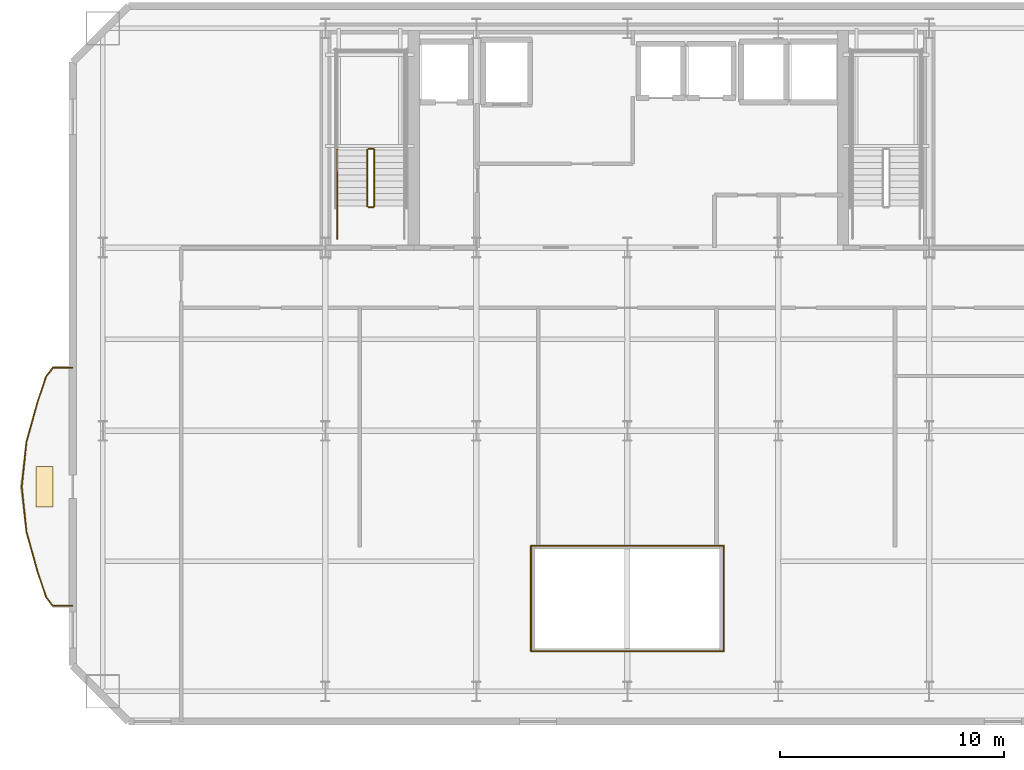
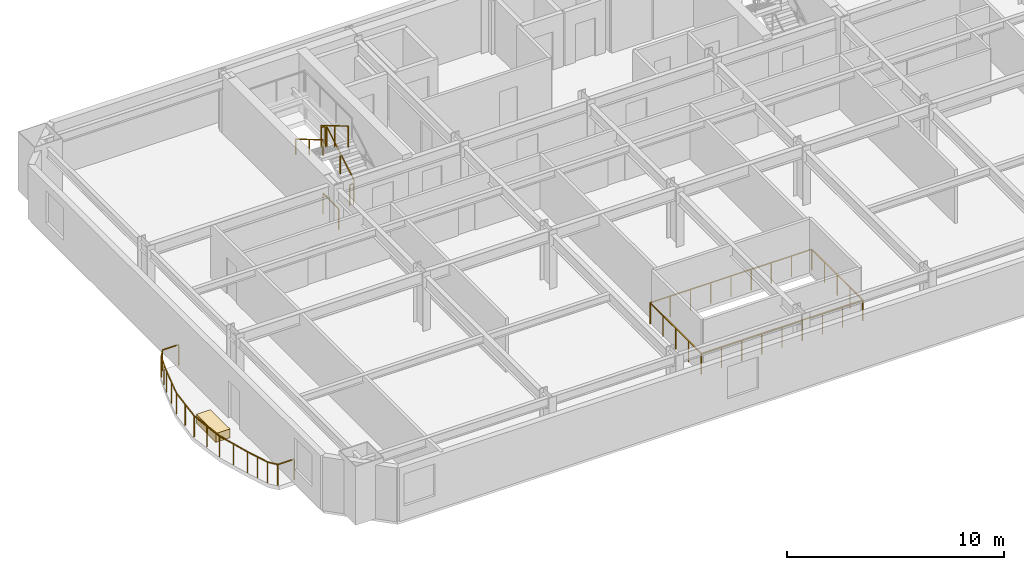
# One storey, part 10 of 14: 20 railings, 1 covering.
"""IFC4 building model written with IfcOpenShell, lengths in metres."""

import ifcopenshell
import ifcopenshell.guid

model = None  # the IFC model being written
_history = None  # IfcOwnerHistory: only IFC2X3 demands one
_inside = {}  # id of a spatial element -> (the spatial element, [elements in it])
_under = {}  # id of a project, library or spatial element -> (it, [spatial elements below it])
_declared = {}  # id of a project -> (the project, [libraries it declares])
_typed = {}  # id of a type object -> (the type object, [elements of that type])
_made_of = {}  # id of a material, layer set ... -> (it, [elements and type objects made of it])


def new_model(schema):
    """Start an empty IFC model of exactly this schema.

    Asked for "IFC4X3", IfcOpenShell would pick the latest addendum, in which some entities
    have other attributes; the version numbers below select the first issue.
    IFC2X3 requires an IfcOwnerHistory on every rooted entity: one is made here for all.
    """
    global model, _history
    if schema == "IFC4X3":
        model = ifcopenshell.file(schema_version=(4, 3, 0, 0))
    else:
        model = ifcopenshell.file(schema=schema)
    _inside.clear()
    _under.clear()
    _declared.clear()
    _typed.clear()
    _made_of.clear()
    _history = None
    if model.schema == "IFC2X3":
        org = make("IfcOrganization", Name="unknown")
        user = make(
            "IfcPersonAndOrganization",
            ThePerson=make("IfcPerson", FamilyName="unknown"),
            TheOrganization=org,
        )
        app = make(
            "IfcApplication",
            ApplicationDeveloper=org,
            Version="unknown",
            ApplicationFullName="unknown",
            ApplicationIdentifier="unknown",
        )
        _history = make(
            "IfcOwnerHistory",
            OwningUser=user,
            OwningApplication=app,
            ChangeAction="ADDED",
            CreationDate=0,
        )
    return model


def make(cls, **values):
    """One entity of the class cls with the attributes given. An attribute that is None is left unset."""
    return model.create_entity(
        cls, **{name: value for name, value in values.items() if value is not None}
    )


def rooted(cls, **values):
    """An entity with a GlobalId (a new one), such as an element, a storey or a relation."""
    return make(cls, GlobalId=ifcopenshell.guid.new(), OwnerHistory=_history, **values)


def si_unit(unit_type, name, prefix=None):
    """IfcSIUnit, for example si_unit("LENGTHUNIT", "METRE", prefix="MILLI")."""
    return make("IfcSIUnit", UnitType=unit_type, Prefix=prefix, Name=name)


def assignment(units):
    """IfcUnitAssignment: the units of a project."""
    return None if units is None else make("IfcUnitAssignment", Units=units)


def point(xyz):
    """IfcCartesianPoint."""
    return None if xyz is None else make("IfcCartesianPoint", Coordinates=xyz)


def direction(xyz):
    """IfcDirection."""
    return None if xyz is None else make("IfcDirection", DirectionRatios=xyz)


def frame(location, z_axis=None, x_axis=None):
    """IfcAxis2Placement3D, a coordinate frame: its origin and axes. An axis left out is left unset."""
    return make(
        "IfcAxis2Placement3D",
        Location=point(location),
        Axis=direction(z_axis),
        RefDirection=direction(x_axis),
    )


def frame_2d(location, x_axis=None):
    """IfcAxis2Placement2D, a coordinate frame in the plane: its origin and x axis."""
    return make(
        "IfcAxis2Placement2D", Location=point(location), RefDirection=direction(x_axis)
    )


def origin():
    """The frame at (0, 0, 0) with its axes left unset."""
    return frame((0.0, 0.0, 0.0))


def origin_2d():
    """The frame at (0, 0) in the plane with its x axis left unset."""
    return frame_2d((0.0, 0.0))


def place(relative_to, where):
    """IfcLocalPlacement: puts the frame where relative to a parent placement (None: the world)."""
    return make(
        "IfcLocalPlacement", PlacementRelTo=relative_to, RelativePlacement=where
    )


def context(
    kind, dimensions, precision=None, world=None, true_north=None, identifier=None
):
    """IfcGeometricRepresentationContext, for example the 3D "Model" context."""
    return make(
        "IfcGeometricRepresentationContext",
        ContextIdentifier=identifier,
        ContextType=kind,
        CoordinateSpaceDimension=dimensions,
        Precision=precision,
        WorldCoordinateSystem=world,
        TrueNorth=true_north,
    )


def subcontext(parent, identifier, kind, view, scale=None):
    """IfcGeometricRepresentationSubContext, for example "Body" below "Model"."""
    return make(
        "IfcGeometricRepresentationSubContext",
        ContextIdentifier=identifier,
        ContextType=kind,
        ParentContext=parent,
        TargetScale=scale,
        TargetView=view,
    )


def project(units=None, contexts=None):
    """IfcProject with its units and contexts."""
    return rooted(
        "IfcProject",
        Name="project",
        RepresentationContexts=contexts,
        UnitsInContext=assignment(units),
    )


def spatial(cls, under=None, at=None, **own):
    """A site, building, storey or space (cls), placed at a placement, below another one or the project."""
    s = rooted(cls, ObjectPlacement=at, **own)
    if under is not None:
        _under.setdefault(under.id(), (under, []))[1].append(s)
    return s


def profile(cls, at=None, kind="AREA", **sizes):
    """A parametric profile (cls). Its sizes go by their IFC names, for example OverallWidth=200.0."""
    return make(cls, ProfileType=kind, Position=at, **sizes)


def rectangle(**sizes):
    """IfcRectangleProfileDef."""
    return profile("IfcRectangleProfileDef", **sizes)


def extrude(swept, where, along, depth):
    """IfcExtrudedAreaSolid: the profile swept, set in the frame where, extruded along a direction by depth."""
    return make(
        "IfcExtrudedAreaSolid",
        SweptArea=swept,
        Position=where,
        ExtrudedDirection=direction(along),
        Depth=depth,
    )


def shape(context_of_items, identifier, shape_type, items):
    """IfcShapeRepresentation: the items that make up one representation, for example the "Body"."""
    return make(
        "IfcShapeRepresentation",
        ContextOfItems=context_of_items,
        RepresentationIdentifier=identifier,
        RepresentationType=shape_type,
        Items=items,
    )


def material(Name=None, Category=None):
    """IfcMaterial."""
    return make("IfcMaterial", Name=Name, Category=Category)


def layer(
    of_material, thickness, ventilated=None, Name=None, Category=None, Priority=None
):
    """IfcMaterialLayer: one layer of a wall or slab, of a material (None: an air gap)."""
    return make(
        "IfcMaterialLayer",
        Material=of_material,
        LayerThickness=thickness,
        IsVentilated=ventilated,
        Name=Name,
        Category=Category,
        Priority=Priority,
    )


def layer_set(layers, Name=None):
    """IfcMaterialLayerSet."""
    return make("IfcMaterialLayerSet", MaterialLayers=layers, LayerSetName=Name)


def made_of(thing, what):
    """Note that an element or type object is made of a material, layer set ...; save() writes the relation."""
    if what is not None:
        _made_of.setdefault(what.id(), (what, []))[1].append(thing)
    return thing


def type_object(cls, material=None, **own):
    """A type object (cls), such as IfcWallType, which elements share."""
    return made_of(rooted(cls, **own), material)


def element(
    cls,
    number,
    at=None,
    inside=None,
    cuts=None,
    type_object=None,
    material=None,
    context=None,
    identifier="Body",
    shape_type=None,
    held_by="IfcProductDefinitionShape",
    body=None,
    shapes=None,
    **own,
):
    """One element of the class cls, such as IfcWall. Its Tag is "e" and its number.

    at: its placement. inside: the storey or other place that contains it. cuts: it is an
    opening in that element (IfcRelVoidsElement). A single representation is given by context,
    identifier, shape_type and body (its items); several are given by shapes. held_by: the class
    of the entity that holds the representations. save() writes the other relations.
    """
    e = rooted(cls, Tag="e%d" % number, ObjectPlacement=at, **own)
    if body is not None:
        shapes = [shape(context, identifier, shape_type, body)]
    if shapes is not None:
        e.Representation = make(held_by, Representations=shapes)
    if inside is not None:
        _inside.setdefault(inside.id(), (inside, []))[1].append(e)
    if cuts is not None:
        rooted(
            "IfcRelVoidsElement", RelatingBuildingElement=cuts, RelatedOpeningElement=e
        )
    if type_object is not None:
        _typed.setdefault(type_object.id(), (type_object, []))[1].append(e)
    return made_of(e, material)


def aggregate(whole, parts):
    """IfcRelAggregates: a whole, such as a stair, and the parts it consists of."""
    return rooted("IfcRelAggregates", RelatingObject=whole, RelatedObjects=parts)


def save(model, path):
    """Write the relations noted so far, then the file.

    IfcRelAggregates (storeys below a building ...), IfcRelContainedInSpatialStructure (elements
    in a storey), IfcRelDefinesByType, IfcRelAssociatesMaterial and IfcRelDeclares: one each for
    every whole, place, type object, material and project.
    """
    for whole, parts in _under.values():
        aggregate(whole, parts)
    for where, things in _inside.values():
        rooted(
            "IfcRelContainedInSpatialStructure",
            RelatedElements=things,
            RelatingStructure=where,
        )
    for kind, things in _typed.values():
        rooted("IfcRelDefinesByType", RelatedObjects=things, RelatingType=kind)
    for what, things in _made_of.values():
        rooted("IfcRelAssociatesMaterial", RelatedObjects=things, RelatingMaterial=what)
    for by, libraries in _declared.values():
        rooted("IfcRelDeclares", RelatingContext=by, RelatedDefinitions=libraries)
    model.write(path)


model = new_model("IFC4")

# Units and contexts
model_context = context("Model", 3, precision=1e-05, world=origin(), true_north=direction((0.0, 1.0)))
body_context = subcontext(model_context, "Body", "Model", "MODEL_VIEW")
ifc_project = project(units=[si_unit("LENGTHUNIT", "METRE"), si_unit("AREAUNIT", "SQUARE_METRE"), si_unit("VOLUMEUNIT", "CUBIC_METRE"), si_unit("PLANEANGLEUNIT", "RADIAN"), si_unit("MASSUNIT", "GRAM", prefix="KILO")], contexts=[model_context])

# Site, building, storey
site_placement = place(None, origin())
site = spatial("IfcSite", under=ifc_project, at=site_placement, CompositionType="ELEMENT")
building_placement = place(site_placement, origin())
building = spatial("IfcBuilding", under=site, at=building_placement, Name="Haevon Station Towers", CompositionType="ELEMENT")
storey_placement = place(building_placement, frame((0.0, 0.0, 86.699951171875)))
storey = spatial("IfcBuildingStorey", under=building, at=storey_placement, Name="L22", CompositionType="ELEMENT", Elevation=86.699951171875)

# Railings
ifc_material_1 = material(Name="Steel S355", Category="steel")
railing_type_1 = type_object("IfcRailingType", Name="BAL-ATR1200", PredefinedType="BALUSTRADE", material=ifc_material_1)
railing_1_placement = place(storey_placement, frame((33.19482421875, 20.142333984375, 0.0)))
element("IfcRailing", 1, at=railing_1_placement, inside=storey, type_object=railing_type_1, Name="L22 Atrium Void Balustrade 1", PredefinedType="BALUSTRADE", context=body_context, shape_type="SweptSolid", body=[
    extrude(rectangle(XDim=0.048095703125, YDim=0.048095703125, at=origin_2d()), frame((0.0, 0.0, 1.17578125), z_axis=(1.0, 0.0, 0.0), x_axis=(0.0, 1.0, 0.0)), (0.0, 0.0, 1.0), 8.6103515625),
    extrude(rectangle(XDim=0.0419921875, YDim=0.0419921875, at=origin_2d()), origin(), (0.0, 0.0, 1.0), 1.15185546875),
    extrude(rectangle(XDim=0.0419921875, YDim=0.0419921875, at=origin_2d()), frame((1.076171875, 0.0, 0.0)), (0.0, 0.0, 1.0), 1.15185546875),
    extrude(rectangle(XDim=0.0419921875, YDim=0.0419921875, at=origin_2d()), frame((2.152587890625, 0.0, 0.0)), (0.0, 0.0, 1.0), 1.15185546875),
    extrude(rectangle(XDim=0.0419921875, YDim=0.0419921875, at=origin_2d()), frame((3.22900390625, 0.0, 0.0)), (0.0, 0.0, 1.0), 1.15185546875),
    extrude(rectangle(XDim=0.0419921875, YDim=0.0419921875, at=origin_2d()), frame((4.30517578125, 0.0, 0.0)), (0.0, 0.0, 1.0), 1.15185546875),
    extrude(rectangle(XDim=0.0419921875, YDim=0.0419921875, at=origin_2d()), frame((5.38134765625, 0.0, 0.0)), (0.0, 0.0, 1.0), 1.15185546875),
    extrude(rectangle(XDim=0.0419921875, YDim=0.0419921875, at=origin_2d()), frame((6.457763671875, 0.0, 0.0)), (0.0, 0.0, 1.0), 1.15185546875),
    extrude(rectangle(XDim=0.0419921875, YDim=0.0419921875, at=origin_2d()), frame((7.5341796875, 0.0, 0.0)), (0.0, 0.0, 1.0), 1.15185546875),
    extrude(rectangle(XDim=0.0419921875, YDim=0.0419921875, at=origin_2d()), frame((8.6103515625, 0.0, 0.0)), (0.0, 0.0, 1.0), 1.15185546875),
])
railing_2_placement = place(storey_placement, frame((41.80517578125, 20.142333984375, 0.0)))
element("IfcRailing", 2, at=railing_2_placement, inside=storey, type_object=railing_type_1, Name="L22 Atrium Void Balustrade 2", PredefinedType="BALUSTRADE", context=body_context, shape_type="SweptSolid", body=[
    extrude(rectangle(XDim=0.048095703125, YDim=0.048095703125, at=origin_2d()), frame((0.0, 0.0, 1.17578125), z_axis=(0.0, 1.0, 0.0), x_axis=(-1.0, 0.0, 0.0)), (0.0, 0.0, 1.0), 4.71533203125),
    extrude(rectangle(XDim=0.0419921875, YDim=0.0419921875, at=origin_2d()), origin(), (0.0, 0.0, 1.0), 1.15185546875),
    extrude(rectangle(XDim=0.0419921875, YDim=0.0419921875, at=origin_2d()), frame((0.0, 1.1787109375, 0.0)), (0.0, 0.0, 1.0), 1.15185546875),
    extrude(rectangle(XDim=0.0419921875, YDim=0.0419921875, at=origin_2d()), frame((0.0, 2.357666015625, 0.0)), (0.0, 0.0, 1.0), 1.15185546875),
    extrude(rectangle(XDim=0.0419921875, YDim=0.0419921875, at=origin_2d()), frame((0.0, 3.53662109375, 0.0)), (0.0, 0.0, 1.0), 1.15185546875),
    extrude(rectangle(XDim=0.0419921875, YDim=0.0419921875, at=origin_2d()), frame((0.0, 4.71533203125, 0.0)), (0.0, 0.0, 1.0), 1.15185546875),
])
railing_3_placement = place(storey_placement, frame((41.80517578125, 24.857666015625, 0.0)))
element("IfcRailing", 3, at=railing_3_placement, inside=storey, type_object=railing_type_1, Name="L22 Atrium Void Balustrade 3", PredefinedType="BALUSTRADE", context=body_context, shape_type="SweptSolid", body=[
    extrude(rectangle(XDim=0.048095703125, YDim=0.048095703125, at=origin_2d()), frame((0.0, 0.0, 1.17578125), z_axis=(-1.0, 0.0, 0.0), x_axis=(0.0, -1.0, 0.0)), (0.0, 0.0, 1.0), 8.6103515625),
    extrude(rectangle(XDim=0.0419921875, YDim=0.0419921875, at=origin_2d()), origin(), (0.0, 0.0, 1.0), 1.15185546875),
    extrude(rectangle(XDim=0.0419921875, YDim=0.0419921875, at=origin_2d()), frame((-1.076171875, 0.0, 0.0)), (0.0, 0.0, 1.0), 1.15185546875),
    extrude(rectangle(XDim=0.0419921875, YDim=0.0419921875, at=origin_2d()), frame((-2.152587890625, 0.0, 0.0)), (0.0, 0.0, 1.0), 1.15185546875),
    extrude(rectangle(XDim=0.0419921875, YDim=0.0419921875, at=origin_2d()), frame((-3.22900390625, 0.0, 0.0)), (0.0, 0.0, 1.0), 1.15185546875),
    extrude(rectangle(XDim=0.0419921875, YDim=0.0419921875, at=origin_2d()), frame((-4.30517578125, 0.0, 0.0)), (0.0, 0.0, 1.0), 1.15185546875),
    extrude(rectangle(XDim=0.0419921875, YDim=0.0419921875, at=origin_2d()), frame((-5.38134765625, 0.0, 0.0)), (0.0, 0.0, 1.0), 1.15185546875),
    extrude(rectangle(XDim=0.0419921875, YDim=0.0419921875, at=origin_2d()), frame((-6.457763671875, 0.0, 0.0)), (0.0, 0.0, 1.0), 1.15185546875),
    extrude(rectangle(XDim=0.0419921875, YDim=0.0419921875, at=origin_2d()), frame((-7.5341796875, 0.0, 0.0)), (0.0, 0.0, 1.0), 1.15185546875),
    extrude(rectangle(XDim=0.0419921875, YDim=0.0419921875, at=origin_2d()), frame((-8.6103515625, 0.0, 0.0)), (0.0, 0.0, 1.0), 1.15185546875),
])
railing_4_placement = place(storey_placement, frame((33.19482421875, 24.857666015625, 0.0)))
element("IfcRailing", 4, at=railing_4_placement, inside=storey, type_object=railing_type_1, Name="L22 Atrium Void Balustrade 4", PredefinedType="BALUSTRADE", context=body_context, shape_type="SweptSolid", body=[
    extrude(rectangle(XDim=0.048095703125, YDim=0.048095703125, at=origin_2d()), frame((0.0, 0.0, 1.17578125), z_axis=(0.0, -1.0, 0.0), x_axis=(1.0, 0.0, 0.0)), (0.0, 0.0, 1.0), 4.71533203125),
    extrude(rectangle(XDim=0.0419921875, YDim=0.0419921875, at=origin_2d()), origin(), (0.0, 0.0, 1.0), 1.15185546875),
    extrude(rectangle(XDim=0.0419921875, YDim=0.0419921875, at=origin_2d()), frame((0.0, -1.1787109375, 0.0)), (0.0, 0.0, 1.0), 1.15185546875),
    extrude(rectangle(XDim=0.0419921875, YDim=0.0419921875, at=origin_2d()), frame((0.0, -2.357666015625, 0.0)), (0.0, 0.0, 1.0), 1.15185546875),
    extrude(rectangle(XDim=0.0419921875, YDim=0.0419921875, at=origin_2d()), frame((0.0, -3.53662109375, 0.0)), (0.0, 0.0, 1.0), 1.15185546875),
    extrude(rectangle(XDim=0.0419921875, YDim=0.0419921875, at=origin_2d()), frame((0.0, -4.71533203125, 0.0)), (0.0, 0.0, 1.0), 1.15185546875),
])
railing_type_2 = type_object("IfcRailingType", Name="GRD-EXT1200", PredefinedType="GUARDRAIL", material=ifc_material_1)
railing_5_placement = place(storey_placement, frame((12.6767578125, 32.822021484375, 0.0)))
element("IfcRailing", 5, at=railing_5_placement, inside=storey, type_object=railing_type_2, Name="L22 Perimeter Guardrail 1", PredefinedType="GUARDRAIL", context=body_context, shape_type="SweptSolid", body=[
    extrude(rectangle(XDim=0.048095703125, YDim=0.048095703125, at=origin_2d()), frame((0.0, 0.0, 1.17578125), z_axis=(-0.999998067939, -0.001965736163, 0.0), x_axis=(0.001965736163, -0.999998067939, 0.0)), (0.0, 0.0, 1.0), 0.869384765625),
    extrude(rectangle(XDim=0.0419921875, YDim=0.0419921875, at=origin_2d()), origin(), (0.0, 0.0, 1.0), 1.15185546875),
    extrude(rectangle(XDim=0.0419921875, YDim=0.0419921875, at=origin_2d()), frame((-0.869384765625, -0.001708984375, 0.0)), (0.0, 0.0, 1.0), 1.15185546875),
])
railing_6_placement = place(storey_placement, frame((11.807373046875, 32.8203125, 0.0)))
element("IfcRailing", 6, at=railing_6_placement, inside=storey, type_object=railing_type_2, Name="L22 Perimeter Guardrail 2", PredefinedType="GUARDRAIL", context=body_context, shape_type="SweptSolid", body=[
    extrude(rectangle(XDim=0.048095703125, YDim=0.048095703125, at=origin_2d()), frame((0.0, 0.0, 1.17578125), z_axis=(-0.603100928496, -0.797664885805, 0.0), x_axis=(0.797664885805, -0.603100928496, 0.0)), (0.0, 0.0, 1.0), 0.515625),
    extrude(rectangle(XDim=0.0419921875, YDim=0.0419921875, at=origin_2d()), origin(), (0.0, 0.0, 1.0), 1.15185546875),
    extrude(rectangle(XDim=0.0419921875, YDim=0.0419921875, at=origin_2d()), frame((-0.31103515625, -0.411376953125, 0.0)), (0.0, 0.0, 1.0), 1.15185546875),
])
railing_7_placement = place(storey_placement, frame((11.496337890625, 32.408935546875, 0.0)))
element("IfcRailing", 7, at=railing_7_placement, inside=storey, type_object=railing_type_2, Name="L22 Perimeter Guardrail 3", PredefinedType="GUARDRAIL", context=body_context, shape_type="SweptSolid", body=[
    extrude(rectangle(XDim=0.048095703125, YDim=0.048095703125, at=origin_2d()), frame((0.0, 0.0, 1.17578125), z_axis=(-0.315217781166, -0.949019362519, 0.0), x_axis=(0.949019362519, -0.315217781166, 0.0)), (0.0, 0.0, 1.0), 1.23291015625),
    extrude(rectangle(XDim=0.0419921875, YDim=0.0419921875, at=origin_2d()), origin(), (0.0, 0.0, 1.0), 1.15185546875),
    extrude(rectangle(XDim=0.0419921875, YDim=0.0419921875, at=origin_2d()), frame((-0.1943359375, -0.5849609375, 0.0)), (0.0, 0.0, 1.0), 1.15185546875),
    extrude(rectangle(XDim=0.0419921875, YDim=0.0419921875, at=origin_2d()), frame((-0.388671875, -1.170166015625, 0.0)), (0.0, 0.0, 1.0), 1.15185546875),
])
railing_8_placement = place(storey_placement, frame((11.107666015625, 31.23876953125, 0.0)))
element("IfcRailing", 8, at=railing_8_placement, inside=storey, type_object=railing_type_2, Name="L22 Perimeter Guardrail 4", PredefinedType="GUARDRAIL", context=body_context, shape_type="SweptSolid", body=[
    extrude(rectangle(XDim=0.048095703125, YDim=0.048095703125, at=origin_2d()), frame((0.0, 0.0, 1.17578125), z_axis=(-0.266399621619, -0.963862667397, 0.0), x_axis=(0.963862667397, -0.266399621619, 0.0)), (0.0, 0.0, 1.0), 1.811767578125),
    extrude(rectangle(XDim=0.0419921875, YDim=0.0419921875, at=origin_2d()), origin(), (0.0, 0.0, 1.0), 1.15185546875),
    extrude(rectangle(XDim=0.0419921875, YDim=0.0419921875, at=origin_2d()), frame((-0.2412109375, -0.873046875, 0.0)), (0.0, 0.0, 1.0), 1.15185546875),
    extrude(rectangle(XDim=0.0419921875, YDim=0.0419921875, at=origin_2d()), frame((-0.482666015625, -1.746337890625, 0.0)), (0.0, 0.0, 1.0), 1.15185546875),
])
railing_9_placement = place(storey_placement, frame((10.625, 29.492431640625, 0.0)))
element("IfcRailing", 9, at=railing_9_placement, inside=storey, type_object=railing_type_2, Name="L22 Perimeter Guardrail 5", PredefinedType="GUARDRAIL", context=body_context, shape_type="SweptSolid", body=[
    extrude(rectangle(XDim=0.048095703125, YDim=0.048095703125, at=origin_2d()), frame((0.0, 0.0, 1.17578125), z_axis=(-0.101784512021, -0.99480647018, 0.0), x_axis=(0.99480647018, -0.101784512021, 0.0)), (0.0, 0.0, 1.0), 2.0029296875),
    extrude(rectangle(XDim=0.0419921875, YDim=0.0419921875, at=origin_2d()), origin(), (0.0, 0.0, 1.0), 1.15185546875),
    extrude(rectangle(XDim=0.0419921875, YDim=0.0419921875, at=origin_2d()), frame((-0.10205078125, -0.99609375, 0.0)), (0.0, 0.0, 1.0), 1.15185546875),
    extrude(rectangle(XDim=0.0419921875, YDim=0.0419921875, at=origin_2d()), frame((-0.203857421875, -1.992431640625, 0.0)), (0.0, 0.0, 1.0), 1.15185546875),
])
railing_10_placement = place(storey_placement, frame((10.421142578125, 27.5, 0.0)))
element("IfcRailing", 10, at=railing_10_placement, inside=storey, type_object=railing_type_2, Name="L22 Perimeter Guardrail 6", PredefinedType="GUARDRAIL", context=body_context, shape_type="SweptSolid", body=[
    extrude(rectangle(XDim=0.048095703125, YDim=0.048095703125, at=origin_2d()), frame((0.0, 0.0, 1.17578125), z_axis=(0.101784512021, -0.99480647018, 0.0), x_axis=(0.99480647018, 0.101784512021, 0.0)), (0.0, 0.0, 1.0), 2.0029296875),
    extrude(rectangle(XDim=0.0419921875, YDim=0.0419921875, at=origin_2d()), origin(), (0.0, 0.0, 1.0), 1.15185546875),
    extrude(rectangle(XDim=0.0419921875, YDim=0.0419921875, at=origin_2d()), frame((0.10205078125, -0.99609375, 0.0)), (0.0, 0.0, 1.0), 1.15185546875),
    extrude(rectangle(XDim=0.0419921875, YDim=0.0419921875, at=origin_2d()), frame((0.203857421875, -1.992431640625, 0.0)), (0.0, 0.0, 1.0), 1.15185546875),
])
railing_11_placement = place(storey_placement, frame((10.625, 25.507568359375, 0.0)))
element("IfcRailing", 11, at=railing_11_placement, inside=storey, type_object=railing_type_2, Name="L22 Perimeter Guardrail 7", PredefinedType="GUARDRAIL", context=body_context, shape_type="SweptSolid", body=[
    extrude(rectangle(XDim=0.048095703125, YDim=0.048095703125, at=origin_2d()), frame((0.0, 0.0, 1.17578125), z_axis=(0.266399621619, -0.963862667397, 0.0), x_axis=(0.963862667397, 0.266399621619, 0.0)), (0.0, 0.0, 1.0), 1.811767578125),
    extrude(rectangle(XDim=0.0419921875, YDim=0.0419921875, at=origin_2d()), origin(), (0.0, 0.0, 1.0), 1.15185546875),
    extrude(rectangle(XDim=0.0419921875, YDim=0.0419921875, at=origin_2d()), frame((0.2412109375, -0.873046875, 0.0)), (0.0, 0.0, 1.0), 1.15185546875),
    extrude(rectangle(XDim=0.0419921875, YDim=0.0419921875, at=origin_2d()), frame((0.482666015625, -1.746337890625, 0.0)), (0.0, 0.0, 1.0), 1.15185546875),
])
railing_12_placement = place(storey_placement, frame((11.107666015625, 23.76123046875, 0.0)))
element("IfcRailing", 12, at=railing_12_placement, inside=storey, type_object=railing_type_2, Name="L22 Perimeter Guardrail 8", PredefinedType="GUARDRAIL", context=body_context, shape_type="SweptSolid", body=[
    extrude(rectangle(XDim=0.048095703125, YDim=0.048095703125, at=origin_2d()), frame((0.0, 0.0, 1.17578125), z_axis=(0.315217781166, -0.949019362519, 0.0), x_axis=(0.949019362519, 0.315217781166, 0.0)), (0.0, 0.0, 1.0), 1.23291015625),
    extrude(rectangle(XDim=0.0419921875, YDim=0.0419921875, at=origin_2d()), origin(), (0.0, 0.0, 1.0), 1.15185546875),
    extrude(rectangle(XDim=0.0419921875, YDim=0.0419921875, at=origin_2d()), frame((0.1943359375, -0.5849609375, 0.0)), (0.0, 0.0, 1.0), 1.15185546875),
    extrude(rectangle(XDim=0.0419921875, YDim=0.0419921875, at=origin_2d()), frame((0.388671875, -1.170166015625, 0.0)), (0.0, 0.0, 1.0), 1.15185546875),
])
railing_13_placement = place(storey_placement, frame((11.496337890625, 22.591064453125, 0.0)))
element("IfcRailing", 13, at=railing_13_placement, inside=storey, type_object=railing_type_2, Name="L22 Perimeter Guardrail 9", PredefinedType="GUARDRAIL", context=body_context, shape_type="SweptSolid", body=[
    extrude(rectangle(XDim=0.048095703125, YDim=0.048095703125, at=origin_2d()), frame((0.0, 0.0, 1.17578125), z_axis=(0.603100928496, -0.797664885805, 0.0), x_axis=(0.797664885805, 0.603100928496, 0.0)), (0.0, 0.0, 1.0), 0.515625),
    extrude(rectangle(XDim=0.0419921875, YDim=0.0419921875, at=origin_2d()), origin(), (0.0, 0.0, 1.0), 1.15185546875),
    extrude(rectangle(XDim=0.0419921875, YDim=0.0419921875, at=origin_2d()), frame((0.31103515625, -0.411376953125, 0.0)), (0.0, 0.0, 1.0), 1.15185546875),
])
railing_14_placement = place(storey_placement, frame((11.807373046875, 22.1796875, 0.0)))
element("IfcRailing", 14, at=railing_14_placement, inside=storey, type_object=railing_type_2, Name="L22 Perimeter Guardrail 10", PredefinedType="GUARDRAIL", context=body_context, shape_type="SweptSolid", body=[
    extrude(rectangle(XDim=0.048095703125, YDim=0.048095703125, at=origin_2d()), frame((0.0, 0.0, 1.17578125), z_axis=(0.999998067939, -0.001965736163, 0.0), x_axis=(0.001965736163, 0.999998067939, 0.0)), (0.0, 0.0, 1.0), 0.869384765625),
    extrude(rectangle(XDim=0.0419921875, YDim=0.0419921875, at=origin_2d()), origin(), (0.0, 0.0, 1.0), 1.15185546875),
    extrude(rectangle(XDim=0.0419921875, YDim=0.0419921875, at=origin_2d()), frame((0.869384765625, -0.001708984375, 0.0)), (0.0, 0.0, 1.0), 1.15185546875),
])
railing_type_3 = type_object("IfcRailingType", Name="GRD-STR1200", PredefinedType="GUARDRAIL", material=ifc_material_1)
railing_15_placement = place(storey_placement, frame((26.179931640625, 40.050048828125, 0.1650390625)))
element("IfcRailing", 15, at=railing_15_placement, inside=storey, type_object=railing_type_3, Name="L22 ST1 Stair Guard 1", PredefinedType="GUARDRAIL", context=body_context, shape_type="SweptSolid", body=[
    extrude(rectangle(XDim=0.048095703125, YDim=0.048095703125, at=origin_2d()), frame((0.0, 0.0, 1.17578125), z_axis=(0.0, 0.86152411907, 0.507716645641), x_axis=(-1.0, 0.0, 0.0)), (0.0, 0.0, 1.0), 2.925048828125),
    extrude(rectangle(XDim=0.0419921875, YDim=0.0419921875, at=origin_2d()), origin(), (0.0, 0.0, 1.0), 1.15185546875),
    extrude(rectangle(XDim=0.0419921875, YDim=0.0419921875, at=origin_2d()), frame((0.0, 1.260009765625, 0.74267578125)), (0.0, 0.0, 1.0), 1.15185546875),
    extrude(rectangle(XDim=0.0419921875, YDim=0.0419921875, at=origin_2d()), frame((0.0, 2.52001953125, 1.485107421875)), (0.0, 0.0, 1.0), 1.15185546875),
])
railing_16_placement = place(storey_placement, frame((26.1298828125, 42.6201171875, 1.650146484375)))
element("IfcRailing", 16, at=railing_16_placement, inside=storey, type_object=railing_type_3, Name="L22 ST1 Stair Guard 2", PredefinedType="GUARDRAIL", context=body_context, shape_type="SweptSolid", body=[
    extrude(rectangle(XDim=0.048095703125, YDim=0.048095703125, at=origin_2d()), frame((0.0, 0.0, 1.17578125), z_axis=(-1.0, 0.0, 0.0), x_axis=(0.0, -1.0, 0.0)), (0.0, 0.0, 1.0), 0.199951171875),
    extrude(rectangle(XDim=0.0419921875, YDim=0.0419921875, at=origin_2d()), origin(), (0.0, 0.0, 1.0), 1.15185546875),
    extrude(rectangle(XDim=0.0419921875, YDim=0.0419921875, at=origin_2d()), frame((-0.199951171875, 0.0, 0.0)), (0.0, 0.0, 1.0), 1.15185546875),
])
railing_17_placement = place(storey_placement, frame((25.8798828125, 42.570068359375, 1.81494140625)))
element("IfcRailing", 17, at=railing_17_placement, inside=storey, type_object=railing_type_3, Name="L22 ST1 Stair Guard 6", PredefinedType="GUARDRAIL", context=body_context, shape_type="SweptSolid", body=[
    extrude(rectangle(XDim=0.048095703125, YDim=0.048095703125, at=origin_2d()), frame((0.0, 0.0, 1.17578125), z_axis=(0.0, -0.86152411907, 0.507716645641), x_axis=(1.0, 0.0, 0.0)), (0.0, 0.0, 1.0), 2.925048828125),
    extrude(rectangle(XDim=0.0419921875, YDim=0.0419921875, at=origin_2d()), origin(), (0.0, 0.0, 1.0), 1.15185546875),
    extrude(rectangle(XDim=0.0419921875, YDim=0.0419921875, at=origin_2d()), frame((0.0, -1.260009765625, 0.74267578125)), (0.0, 0.0, 1.0), 1.15185546875),
    extrude(rectangle(XDim=0.0419921875, YDim=0.0419921875, at=origin_2d()), frame((0.0, -2.52001953125, 1.485107421875)), (0.0, 0.0, 1.0), 1.15185546875),
])
railing_18_placement = place(storey_placement, frame((26.1298828125, 40.0, 0.0)))
element("IfcRailing", 18, at=railing_18_placement, inside=storey, type_object=railing_type_3, Name="L22 ST1 Stair Guard 7", PredefinedType="GUARDRAIL", context=body_context, shape_type="SweptSolid", body=[
    extrude(rectangle(XDim=0.048095703125, YDim=0.048095703125, at=origin_2d()), frame((0.0, 0.0, 1.17578125), z_axis=(-1.0, 0.0, 0.0), x_axis=(0.0, -1.0, 0.0)), (0.0, 0.0, 1.0), 0.199951171875),
    extrude(rectangle(XDim=0.0419921875, YDim=0.0419921875, at=origin_2d()), origin(), (0.0, 0.0, 1.0), 1.15185546875),
    extrude(rectangle(XDim=0.0419921875, YDim=0.0419921875, at=origin_2d()), frame((-0.199951171875, 0.0, 0.0)), (0.0, 0.0, 1.0), 1.15185546875),
])
railing_19_placement = place(storey_placement, frame((24.530029296875, 38.60009765625, 0.0)))
element("IfcRailing", 19, at=railing_19_placement, inside=storey, type_object=railing_type_3, Name="L22 ST1 Stair Guard 9", PredefinedType="GUARDRAIL", context=body_context, shape_type="SweptSolid", body=[
    extrude(rectangle(XDim=0.048095703125, YDim=0.048095703125, at=origin_2d()), frame((0.0, 0.0, 1.17578125), z_axis=(0.0, 1.0, 0.0), x_axis=(-1.0, 0.0, 0.0)), (0.0, 0.0, 1.0), 1.449951171875),
    extrude(rectangle(XDim=0.0419921875, YDim=0.0419921875, at=origin_2d()), origin(), (0.0, 0.0, 1.0), 1.15185546875),
    extrude(rectangle(XDim=0.0419921875, YDim=0.0419921875, at=origin_2d()), frame((0.0, 1.449951171875, 0.0)), (0.0, 0.0, 1.0), 1.15185546875),
])
railing_type_4 = type_object("IfcRailingType", Name="HND-STR900", PredefinedType="HANDRAIL", material=ifc_material_1)
railing_20_placement = place(storey_placement, frame((24.530029296875, 42.570068359375, 1.81494140625)))
element("IfcRailing", 20, at=railing_20_placement, inside=storey, type_object=railing_type_4, Name="L22 ST1 Stair Handrail 2", PredefinedType="HANDRAIL", context=body_context, shape_type="SweptSolid", body=[
    extrude(rectangle(XDim=0.048095703125, YDim=0.048095703125, at=origin_2d()), frame((0.0, 0.0, 0.8759765625), z_axis=(0.0, -0.86152411907, 0.507716645641), x_axis=(1.0, 0.0, 0.0)), (0.0, 0.0, 1.0), 2.925048828125),
    extrude(rectangle(XDim=0.0419921875, YDim=0.0419921875, at=origin_2d()), origin(), (0.0, 0.0, 1.0), 0.851806640625),
    extrude(rectangle(XDim=0.0419921875, YDim=0.0419921875, at=origin_2d()), frame((0.0, -1.260009765625, 0.74267578125)), (0.0, 0.0, 1.0), 0.851806640625),
    extrude(rectangle(XDim=0.0419921875, YDim=0.0419921875, at=origin_2d()), frame((0.0, -2.52001953125, 1.485107421875)), (0.0, 0.0, 1.0), 0.851806640625),
])

# Covering
ifc_material_2 = material(Name="Architectural planter GRC", Category="concrete")
ifc_layer = layer(ifc_material_2, 0.550048828125)
ifc_layer_set = layer_set([ifc_layer], Name="Architectural planter GRC")
covering_type = type_object("IfcCoveringType", Name="PLN-GRC550", PredefinedType="MOLDING", material=ifc_layer_set)
covering_placement = place(storey_placement, frame((11.43115234375, 27.5, 0.0), z_axis=(0.0, 0.0, 1.0), x_axis=(1.0, 0.0, 0.0)))
element("IfcCovering", 21, at=covering_placement, inside=storey, type_object=covering_type, Name="Tower 1 L22 Scalloped Balcony PLANTER", PredefinedType="MOLDING", context=body_context, shape_type="SweptSolid", body=[
    extrude(rectangle(XDim=0.75, YDim=1.800048828125, at=origin_2d()), origin(), (0.0, 0.0, 1.0), 0.5),
])

save(model, "model.ifc")
